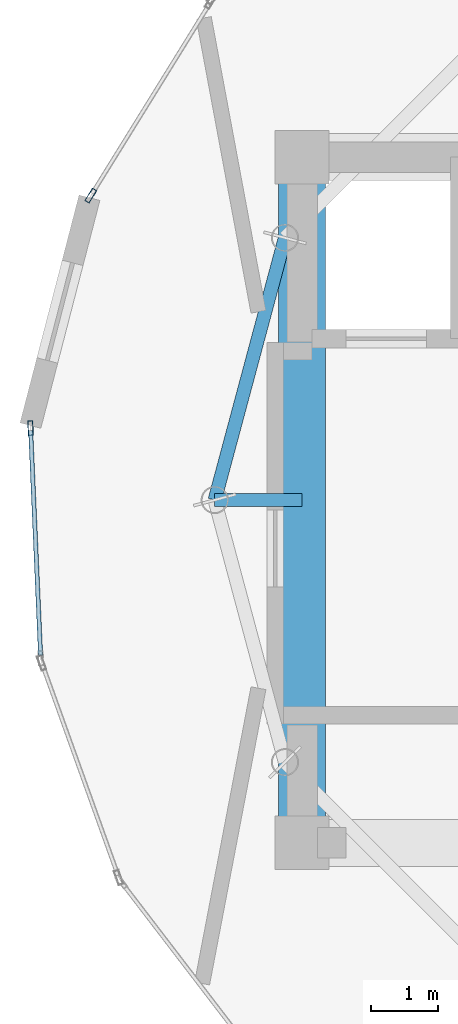
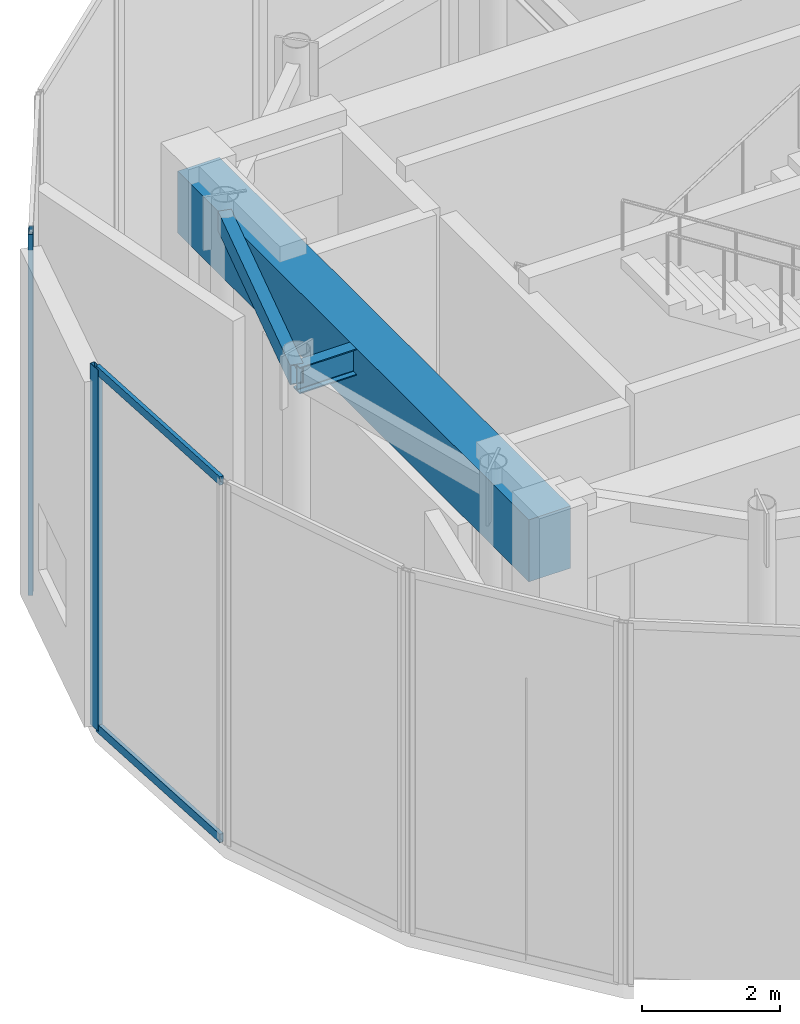
# One storey, part 3 of 8: 4 members, 3 beams, 2 elements without a shape of their own.
"""IFC4 building model written with IfcOpenShell, lengths in metres."""

import ifcopenshell
import ifcopenshell.guid

model = None  # the IFC model being written
_history = None  # IfcOwnerHistory: only IFC2X3 demands one
_inside = {}  # id of a spatial element -> (the spatial element, [elements in it])
_under = {}  # id of a project, library or spatial element -> (it, [spatial elements below it])
_declared = {}  # id of a project -> (the project, [libraries it declares])
_typed = {}  # id of a type object -> (the type object, [elements of that type])
_made_of = {}  # id of a material, layer set ... -> (it, [elements and type objects made of it])


def new_model(schema):
    """Start an empty IFC model of exactly this schema.

    Asked for "IFC4X3", IfcOpenShell would pick the latest addendum, in which some entities
    have other attributes; the version numbers below select the first issue.
    IFC2X3 requires an IfcOwnerHistory on every rooted entity: one is made here for all.
    """
    global model, _history
    if schema == "IFC4X3":
        model = ifcopenshell.file(schema_version=(4, 3, 0, 0))
    else:
        model = ifcopenshell.file(schema=schema)
    _inside.clear()
    _under.clear()
    _declared.clear()
    _typed.clear()
    _made_of.clear()
    _history = None
    if model.schema == "IFC2X3":
        org = make("IfcOrganization", Name="unknown")
        user = make(
            "IfcPersonAndOrganization",
            ThePerson=make("IfcPerson", FamilyName="unknown"),
            TheOrganization=org,
        )
        app = make(
            "IfcApplication",
            ApplicationDeveloper=org,
            Version="unknown",
            ApplicationFullName="unknown",
            ApplicationIdentifier="unknown",
        )
        _history = make(
            "IfcOwnerHistory",
            OwningUser=user,
            OwningApplication=app,
            ChangeAction="ADDED",
            CreationDate=0,
        )
    return model


def make(cls, **values):
    """One entity of the class cls with the attributes given. An attribute that is None is left unset."""
    return model.create_entity(
        cls, **{name: value for name, value in values.items() if value is not None}
    )


def rooted(cls, **values):
    """An entity with a GlobalId (a new one), such as an element, a storey or a relation."""
    return make(cls, GlobalId=ifcopenshell.guid.new(), OwnerHistory=_history, **values)


def si_unit(unit_type, name, prefix=None):
    """IfcSIUnit, for example si_unit("LENGTHUNIT", "METRE", prefix="MILLI")."""
    return make("IfcSIUnit", UnitType=unit_type, Prefix=prefix, Name=name)


def assignment(units):
    """IfcUnitAssignment: the units of a project."""
    return None if units is None else make("IfcUnitAssignment", Units=units)


def point(xyz):
    """IfcCartesianPoint."""
    return None if xyz is None else make("IfcCartesianPoint", Coordinates=xyz)


def direction(xyz):
    """IfcDirection."""
    return None if xyz is None else make("IfcDirection", DirectionRatios=xyz)


def frame(location, z_axis=None, x_axis=None):
    """IfcAxis2Placement3D, a coordinate frame: its origin and axes. An axis left out is left unset."""
    return make(
        "IfcAxis2Placement3D",
        Location=point(location),
        Axis=direction(z_axis),
        RefDirection=direction(x_axis),
    )


def frame_2d(location, x_axis=None):
    """IfcAxis2Placement2D, a coordinate frame in the plane: its origin and x axis."""
    return make(
        "IfcAxis2Placement2D", Location=point(location), RefDirection=direction(x_axis)
    )


def origin():
    """The frame at (0, 0, 0) with its axes left unset."""
    return frame((0.0, 0.0, 0.0))


def origin_2d():
    """The frame at (0, 0) in the plane with its x axis left unset."""
    return frame_2d((0.0, 0.0))


def place(relative_to, where):
    """IfcLocalPlacement: puts the frame where relative to a parent placement (None: the world)."""
    return make(
        "IfcLocalPlacement", PlacementRelTo=relative_to, RelativePlacement=where
    )


def context(
    kind, dimensions, precision=None, world=None, true_north=None, identifier=None
):
    """IfcGeometricRepresentationContext, for example the 3D "Model" context."""
    return make(
        "IfcGeometricRepresentationContext",
        ContextIdentifier=identifier,
        ContextType=kind,
        CoordinateSpaceDimension=dimensions,
        Precision=precision,
        WorldCoordinateSystem=world,
        TrueNorth=true_north,
    )


def subcontext(parent, identifier, kind, view, scale=None):
    """IfcGeometricRepresentationSubContext, for example "Body" below "Model"."""
    return make(
        "IfcGeometricRepresentationSubContext",
        ContextIdentifier=identifier,
        ContextType=kind,
        ParentContext=parent,
        TargetScale=scale,
        TargetView=view,
    )


def project(units=None, contexts=None):
    """IfcProject with its units and contexts."""
    return rooted(
        "IfcProject",
        Name="project",
        RepresentationContexts=contexts,
        UnitsInContext=assignment(units),
    )


def spatial(cls, under=None, at=None, **own):
    """A site, building, storey or space (cls), placed at a placement, below another one or the project."""
    s = rooted(cls, ObjectPlacement=at, **own)
    if under is not None:
        _under.setdefault(under.id(), (under, []))[1].append(s)
    return s


def profile(cls, at=None, kind="AREA", **sizes):
    """A parametric profile (cls). Its sizes go by their IFC names, for example OverallWidth=200.0."""
    return make(cls, ProfileType=kind, Position=at, **sizes)


def rectangle(**sizes):
    """IfcRectangleProfileDef."""
    return profile("IfcRectangleProfileDef", **sizes)


def hollow_rectangle(**sizes):
    """IfcRectangleHollowProfileDef."""
    return profile("IfcRectangleHollowProfileDef", **sizes)


def i_section(**sizes):
    """IfcIShapeProfileDef."""
    return profile("IfcIShapeProfileDef", **sizes)


def extrude(swept, where, along, depth):
    """IfcExtrudedAreaSolid: the profile swept, set in the frame where, extruded along a direction by depth."""
    return make(
        "IfcExtrudedAreaSolid",
        SweptArea=swept,
        Position=where,
        ExtrudedDirection=direction(along),
        Depth=depth,
    )


def shape(context_of_items, identifier, shape_type, items):
    """IfcShapeRepresentation: the items that make up one representation, for example the "Body"."""
    return make(
        "IfcShapeRepresentation",
        ContextOfItems=context_of_items,
        RepresentationIdentifier=identifier,
        RepresentationType=shape_type,
        Items=items,
    )


def source(mapping_origin, context_of_items, identifier, shape_type, items):
    """IfcRepresentationMap: a shape defined once, which mapped items show again and again."""
    return make(
        "IfcRepresentationMap",
        MappingOrigin=mapping_origin,
        MappedRepresentation=shape(context_of_items, identifier, shape_type, items),
    )


def transform(
    local_origin,
    x_axis=None,
    y_axis=None,
    z_axis=None,
    scale=None,
    scale2=None,
    scale3=None,
    uniform=True,
):
    """IfcCartesianTransformationOperator3D, or its non-uniform kind. x_axis, y_axis, z_axis: its Axis1, 2, 3."""
    if uniform:
        return make(
            "IfcCartesianTransformationOperator3D",
            Axis1=direction(x_axis),
            Axis2=direction(y_axis),
            LocalOrigin=point(local_origin),
            Scale=scale,
            Axis3=direction(z_axis),
        )
    return make(
        "IfcCartesianTransformationOperator3DnonUniform",
        Axis1=direction(x_axis),
        Axis2=direction(y_axis),
        LocalOrigin=point(local_origin),
        Scale=scale,
        Axis3=direction(z_axis),
        Scale2=scale2,
        Scale3=scale3,
    )


def mapped(mapping_source, mapping_target):
    """IfcMappedItem: shows the shape of a source again, moved by a transform."""
    return make(
        "IfcMappedItem", MappingSource=mapping_source, MappingTarget=mapping_target
    )


def material(Name=None, Category=None):
    """IfcMaterial."""
    return make("IfcMaterial", Name=Name, Category=Category)


def layer(
    of_material, thickness, ventilated=None, Name=None, Category=None, Priority=None
):
    """IfcMaterialLayer: one layer of a wall or slab, of a material (None: an air gap)."""
    return make(
        "IfcMaterialLayer",
        Material=of_material,
        LayerThickness=thickness,
        IsVentilated=ventilated,
        Name=Name,
        Category=Category,
        Priority=Priority,
    )


def layer_set(layers, Name=None):
    """IfcMaterialLayerSet."""
    return make("IfcMaterialLayerSet", MaterialLayers=layers, LayerSetName=Name)


def material_profile(
    of_material, cross_section, Name=None, Category=None, Priority=None
):
    """IfcMaterialProfile: a cross section and its material."""
    return make(
        "IfcMaterialProfile",
        Name=Name,
        Material=of_material,
        Profile=cross_section,
        Priority=Priority,
        Category=Category,
    )


def profile_set(profiles, Name=None, composite=None):
    """IfcMaterialProfileSet."""
    return make(
        "IfcMaterialProfileSet",
        Name=Name,
        MaterialProfiles=profiles,
        CompositeProfile=composite,
    )


def made_of(thing, what):
    """Note that an element or type object is made of a material, layer set ...; save() writes the relation."""
    if what is not None:
        _made_of.setdefault(what.id(), (what, []))[1].append(thing)
    return thing


def type_object(cls, material=None, **own):
    """A type object (cls), such as IfcWallType, which elements share."""
    return made_of(rooted(cls, **own), material)


def element(
    cls,
    number,
    at=None,
    inside=None,
    cuts=None,
    type_object=None,
    material=None,
    context=None,
    identifier="Body",
    shape_type=None,
    held_by="IfcProductDefinitionShape",
    body=None,
    shapes=None,
    **own,
):
    """One element of the class cls, such as IfcWall. Its Tag is "e" and its number.

    at: its placement. inside: the storey or other place that contains it. cuts: it is an
    opening in that element (IfcRelVoidsElement). A single representation is given by context,
    identifier, shape_type and body (its items); several are given by shapes. held_by: the class
    of the entity that holds the representations. save() writes the other relations.
    """
    e = rooted(cls, Tag="e%d" % number, ObjectPlacement=at, **own)
    if body is not None:
        shapes = [shape(context, identifier, shape_type, body)]
    if shapes is not None:
        e.Representation = make(held_by, Representations=shapes)
    if inside is not None:
        _inside.setdefault(inside.id(), (inside, []))[1].append(e)
    if cuts is not None:
        rooted(
            "IfcRelVoidsElement", RelatingBuildingElement=cuts, RelatedOpeningElement=e
        )
    if type_object is not None:
        _typed.setdefault(type_object.id(), (type_object, []))[1].append(e)
    return made_of(e, material)


def aggregate(whole, parts):
    """IfcRelAggregates: a whole, such as a stair, and the parts it consists of."""
    return rooted("IfcRelAggregates", RelatingObject=whole, RelatedObjects=parts)


def save(model, path):
    """Write the relations noted so far, then the file.

    IfcRelAggregates (storeys below a building ...), IfcRelContainedInSpatialStructure (elements
    in a storey), IfcRelDefinesByType, IfcRelAssociatesMaterial and IfcRelDeclares: one each for
    every whole, place, type object, material and project.
    """
    for whole, parts in _under.values():
        aggregate(whole, parts)
    for where, things in _inside.values():
        rooted(
            "IfcRelContainedInSpatialStructure",
            RelatedElements=things,
            RelatingStructure=where,
        )
    for kind, things in _typed.values():
        rooted("IfcRelDefinesByType", RelatedObjects=things, RelatingType=kind)
    for what, things in _made_of.values():
        rooted("IfcRelAssociatesMaterial", RelatedObjects=things, RelatingMaterial=what)
    for by, libraries in _declared.values():
        rooted("IfcRelDeclares", RelatingContext=by, RelatedDefinitions=libraries)
    model.write(path)


model = new_model("IFC4")

# Units and contexts
model_context = context("Model", 3, precision=1e-05, world=origin(), true_north=direction((0.0, 1.0)))
body_context = subcontext(model_context, "Body", "Model", "MODEL_VIEW")
ifc_project = project(units=[si_unit("LENGTHUNIT", "METRE"), si_unit("AREAUNIT", "SQUARE_METRE"), si_unit("VOLUMEUNIT", "CUBIC_METRE"), si_unit("PLANEANGLEUNIT", "RADIAN"), si_unit("MASSUNIT", "GRAM", prefix="KILO")], contexts=[model_context])

# Site, building, storey
site_placement = place(None, origin())
site = spatial("IfcSite", under=ifc_project, at=site_placement, CompositionType="ELEMENT")
building_placement = place(site_placement, origin())
building = spatial("IfcBuilding", under=site, at=building_placement, Name="Solvirekh Grand Hotel", CompositionType="ELEMENT")
storey_placement = place(building_placement, frame((0.0, 0.0, 321.0)))
storey = spatial("IfcBuildingStorey", under=building, at=storey_placement, Name="L81", CompositionType="ELEMENT", Elevation=321.0)

# Beams
ifc_material_1 = material(Name="Concrete C60/75", Category="concrete")
ifc_material_profile_1 = material_profile(ifc_material_1, rectangle(XDim=0.699951171875, YDim=1.10009765625, at=origin_2d()), Name="RC BEAM 700X1100")
ifc_profile_set_1 = profile_set([ifc_material_profile_1], Name="Concrete C60/75")
beam_type_1 = type_object("IfcBeamType", Name="Beam_Core_RC1100", PredefinedType="BEAM", material=ifc_profile_set_1)
beam_1_placement = place(storey_placement, frame((-6.5, 5.10009765625, 5.570068359375), z_axis=(0.0, -1.0, 0.0), x_axis=(1.0, 0.0, 0.0)))
element("IfcBeam", 1, at=beam_1_placement, inside=storey, type_object=beam_type_1, Name="L81 core coupling ring beam 4", PredefinedType="BEAM", context=body_context, shape_type="SweptSolid", body=[
    extrude(rectangle(XDim=0.699951171875, YDim=1.10009765625, at=origin_2d()), origin(), (0.0, 0.0, 1.0), 10.2001953125),
])
ifc_material_2 = material(Name="Steel S355", Category="steel")
ifc_material_profile_2 = material_profile(ifc_material_2, i_section(OverallWidth=0.194091796875, OverallDepth=0.468994140625, WebThickness=0.010986328125, FlangeThickness=0.01904296875, FilletRadius=0.012939453125, at=origin_2d()), Name="W460X106")
ifc_profile_set_2 = profile_set([ifc_material_profile_2], Name="Steel S355")
beam_type_2 = type_object("IfcBeamType", Name="Beam_Radial_W460H", PredefinedType="BEAM", material=ifc_profile_set_2)
beam_2_placement = place(storey_placement, frame((-6.5, 0.0, 5.885009765625), z_axis=(-1.0, 0.0, 0.0), x_axis=(0.0, -1.0, 0.0)))
element("IfcBeam", 2, at=beam_2_placement, inside=storey, type_object=beam_type_2, Name="L81 radial floor beam R07", PredefinedType="BEAM", context=body_context, shape_type="SweptSolid", body=[
    extrude(i_section(OverallWidth=0.194091796875, OverallDepth=0.468994140625, WebThickness=0.010986328125, FlangeThickness=0.01904296875, FilletRadius=0.012939453125, at=origin_2d()), origin(), (0.0, 0.0, 1.0), 1.300048828125),
])
ifc_material_profile_3 = material_profile(ifc_material_2, hollow_rectangle(XDim=0.199951171875, YDim=0.35009765625, WallThickness=0.013916015625, at=origin_2d()), Name="RHS 350X200X14")
ifc_profile_set_3 = profile_set([ifc_material_profile_3], Name="Steel S355")
beam_type_3 = type_object("IfcBeamType", Name="Spandrel_Crown_RHS350", PredefinedType="SPANDREL", material=ifc_profile_set_3)
beam_3_placement = place(storey_placement, frame((-6.7548828125, 3.89990234375, 5.945068359375), z_axis=(-0.258863027773, -0.965914040095, 0.0), x_axis=(0.965914040095, -0.258863027773, 0.0)))
element("IfcBeam", 3, at=beam_3_placement, inside=storey, type_object=beam_type_3, Name="L81 perimeter spandrel beam 6", PredefinedType="SPANDREL", context=body_context, shape_type="SweptSolid", body=[
    extrude(hollow_rectangle(XDim=0.199951171875, YDim=0.35009765625, WallThickness=0.013916015625, at=origin_2d()), origin(), (0.0, 0.0, 1.0), 4.03759765625),
])

# Curtain wall, member
ifc_material_3 = material(Name="Anodized Bronze Aluminium 6063-T6", Category="aluminium")
ifc_layer = layer(ifc_material_3, 0.219970703125)
ifc_layer_set = layer_set([ifc_layer], Name="Anodized Bronze Aluminium 6063-T6")
curtain_wall_type = type_object("IfcCurtainWallType", Name="CW_Sys6_CrownFacetedPointCW", PredefinedType="NOTDEFINED", material=ifc_layer_set)
curtain_wall_1_placement = place(storey_placement, origin())
curtain_wall_1 = element("IfcCurtainWall", 4, at=curtain_wall_1_placement, inside=storey, type_object=curtain_wall_type, Name="L81 unitised bronze-glass curtain wall CW-L81-C14", PredefinedType="NOTDEFINED")
ifc_material_profile_4 = material_profile(ifc_material_3, hollow_rectangle(XDim=0.074951171875, YDim=0.219970703125, WallThickness=0.006103515625, at=origin_2d()), Name="ALU RHS 220X75X6")
ifc_profile_set_4 = profile_set([ifc_material_profile_4], Name="Anodized Bronze Aluminium 6063-T6")
member_type_1 = type_object("IfcMemberType", Name="CWMullion_Sys6", PredefinedType="MULLION", material=ifc_profile_set_4)
shared_shape_1 = source(origin(), body_context, "Body", "SweptSolid", [
    extrude(hollow_rectangle(XDim=0.074951171875, YDim=0.219970703125, WallThickness=0.006103515625, at=origin_2d()), origin(), (0.0, 0.0, 1.0), 6.39990234375),
])
member_1_placement = place(storey_placement, frame((-9.644287109375, 4.52783203125, 0.0), z_axis=(0.0, 0.0, 1.0), x_axis=(0.850388074808, -0.52615598659, 0.0)))
member_1 = element("IfcMember", 5, at=member_1_placement, type_object=member_type_1, Name="U06 mullion 2", PredefinedType="MULLION", context=body_context, shape_type="MappedRepresentation", body=[
    mapped(shared_shape_1, transform((0.0, 0.0, 0.0), x_axis=(1.0, 0.0, 0.0), y_axis=(0.0, 1.0, 0.0), z_axis=(0.0, 0.0, 1.0), scale=1.0)),
])
aggregate(curtain_wall_1, [member_1])

# Curtain wall, members
curtain_wall_2_placement = place(storey_placement, origin())
curtain_wall_2 = element("IfcCurtainWall", 6, at=curtain_wall_2_placement, inside=storey, type_object=curtain_wall_type, Name="L81 unitised bronze-glass curtain wall CW-L81-C16", PredefinedType="NOTDEFINED")
member_2_placement = place(storey_placement, frame((-10.540283203125, 1.070556640625, 0.0), z_axis=(0.0, 0.0, 1.0), x_axis=(0.99903119333, 0.044007666982, 0.0)))
member_2 = element("IfcMember", 7, at=member_2_placement, type_object=member_type_1, Name="U06 mullion 1", PredefinedType="MULLION", context=body_context, shape_type="MappedRepresentation", body=[
    mapped(shared_shape_1, transform((0.0, 0.0, 0.0), x_axis=(1.0, 0.0, 0.0), y_axis=(0.0, 1.0, 0.0), z_axis=(0.0, 0.0, 1.0), scale=1.0)),
])
ifc_material_profile_5 = material_profile(ifc_material_3, hollow_rectangle(XDim=0.06494140625, YDim=0.14990234375, WallThickness=0.0048828125, at=origin_2d()), Name="ALU RHS 150X65X5")
ifc_profile_set_5 = profile_set([ifc_material_profile_5], Name="Anodized Bronze Aluminium 6063-T6")
member_type_2 = type_object("IfcMemberType", Name="CWTransom_Sys6", PredefinedType="USERDEFINED", material=ifc_profile_set_5)
shared_shape_2 = source(origin(), body_context, "Body", "SweptSolid", [
    extrude(hollow_rectangle(XDim=0.06494140625, YDim=0.14990234375, WallThickness=0.0048828125, at=origin_2d()), origin(), (0.0, 0.0, 1.0), 3.34912109375),
])
member_3_placement = place(storey_placement, frame((-10.538818359375, 1.032958984375, 0.032470703125), z_axis=(0.044028769003, -0.999030263556, 0.0), x_axis=(0.999030263556, 0.044028769003, 0.0)))
member_3 = element("IfcMember", 8, at=member_3_placement, type_object=member_type_2, Name="U06 transom 1.1", ObjectType="TRANSOM", PredefinedType="USERDEFINED", context=body_context, shape_type="MappedRepresentation", body=[
    mapped(shared_shape_2, transform((0.0, 0.0, 0.0), x_axis=(1.0, 0.0, 0.0), y_axis=(0.0, 1.0, 0.0), z_axis=(0.0, 0.0, 1.0), scale=1.0)),
])
member_4_placement = place(storey_placement, frame((-10.538818359375, 1.032958984375, 6.367431640625), z_axis=(0.044028769003, -0.999030263556, 0.0), x_axis=(0.999030263556, 0.044028769003, 0.0)))
member_4 = element("IfcMember", 9, at=member_4_placement, type_object=member_type_2, Name="U06 transom 1.2", ObjectType="TRANSOM", PredefinedType="USERDEFINED", context=body_context, shape_type="MappedRepresentation", body=[
    mapped(shared_shape_2, transform((0.0, 0.0, 0.0), x_axis=(1.0, 0.0, 0.0), y_axis=(0.0, 1.0, 0.0), z_axis=(0.0, 0.0, 1.0), scale=1.0)),
])
aggregate(curtain_wall_2, [member_2, member_3, member_4])

save(model, "model.ifc")
